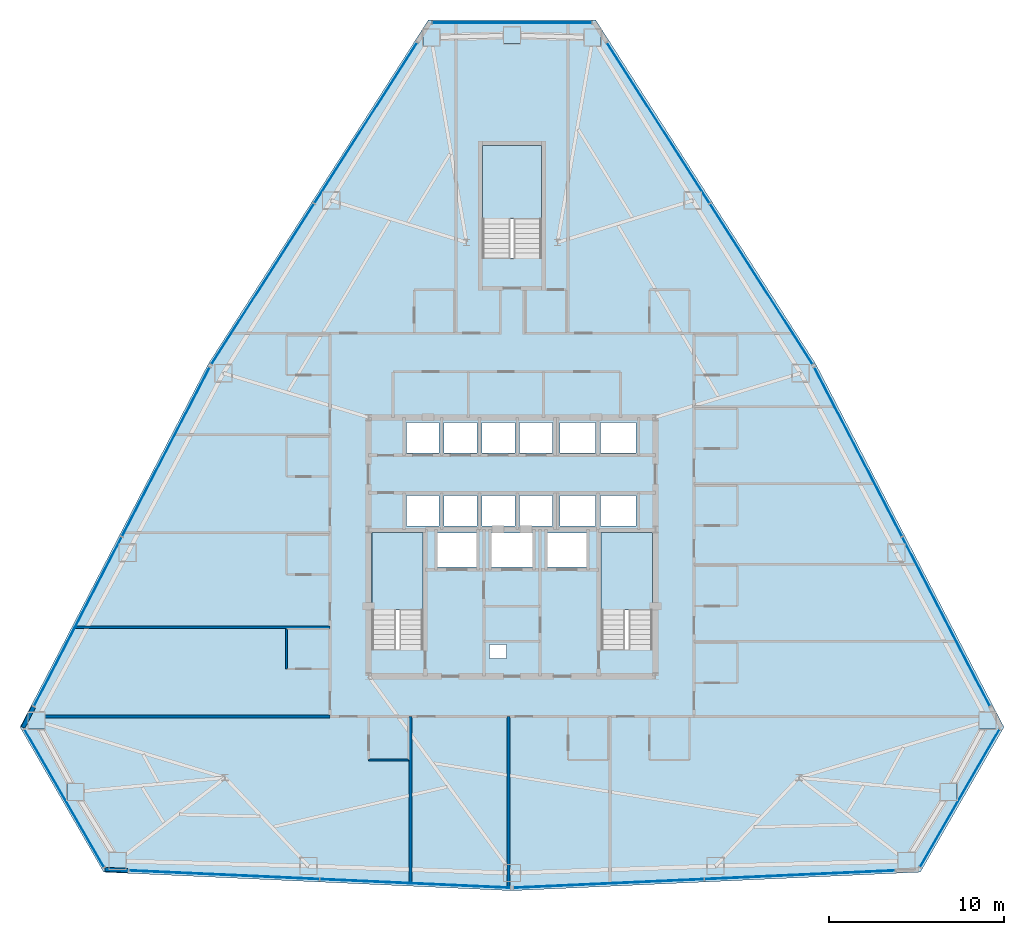
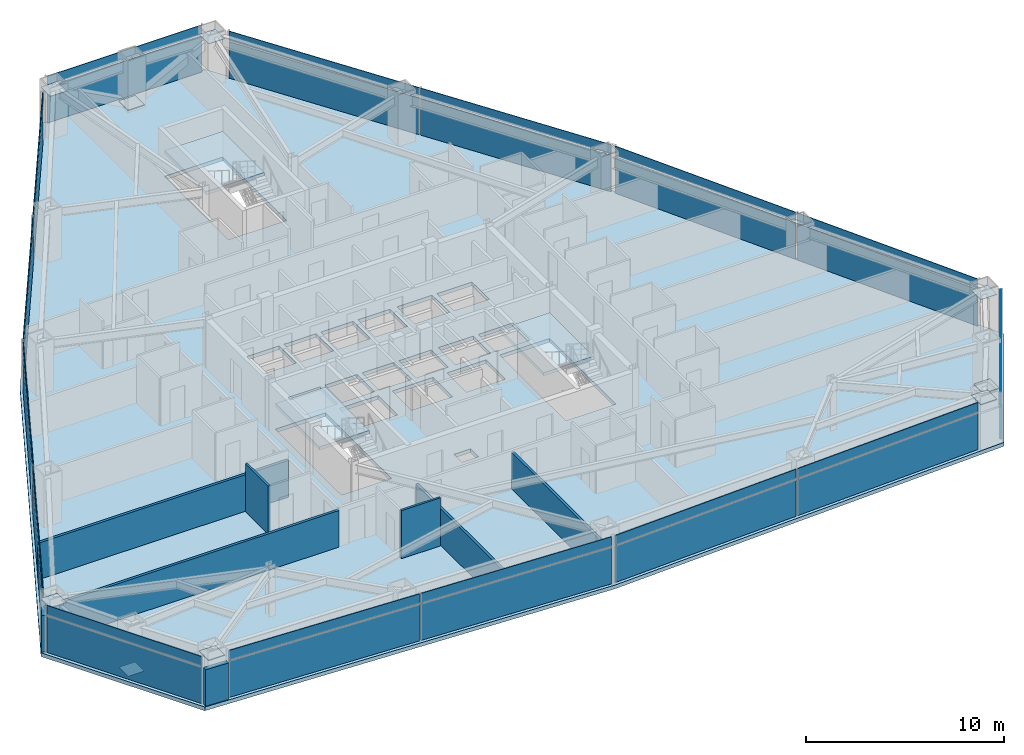
# One storey, part 8 of 13: 39 plates, 8 walls, 4 slabs, 12 elements without a shape of their own.
"""IFC4 building model written with IfcOpenShell, lengths in metres."""

from ifc_helpers import new_model, si_unit, direction, frame, frame_2d, origin, origin_2d, place, context, subcontext, project, spatial, polyline, rectangle, outline, extrude, source, transform, mapped, material, layer, layer_set, type_object, type_shapes, element, aggregate, save


model = new_model("IFC4")

# Units and contexts
model_context = context("Model", 3, precision=1e-05, world=origin(), true_north=direction((0.0, 1.0)))
body_context = subcontext(model_context, "Body", "Model", "MODEL_VIEW")
ifc_project = project(units=[si_unit("LENGTHUNIT", "METRE"), si_unit("AREAUNIT", "SQUARE_METRE"), si_unit("VOLUMEUNIT", "CUBIC_METRE"), si_unit("PLANEANGLEUNIT", "RADIAN"), si_unit("MASSUNIT", "GRAM", prefix="KILO")], contexts=[model_context])

# Site, building, storey
site_placement = place(None, origin())
site = spatial("IfcSite", under=ifc_project, at=site_placement, CompositionType="ELEMENT")
building_placement = place(site_placement, origin())
building = spatial("IfcBuilding", under=site, at=building_placement, Name="Varakhsha Concourse Tower", CompositionType="ELEMENT")
storey_placement = place(building_placement, frame((0.0, 0.0, 83.0)))
storey = spatial("IfcBuildingStorey", under=building, at=storey_placement, Name="L23", CompositionType="ELEMENT", Elevation=83.0)

# Slab
ifc_material_1 = material(Name="Concrete fc 45 MPa", Category="concrete")
ifc_layer_1 = layer(ifc_material_1, 0.22998046875, Name="SL-FLR-230")
ifc_layer_set_1 = layer_set([ifc_layer_1], Name="Concrete fc 45 MPa")
slab_type_1 = type_object("IfcSlabType", Name="SL-FLR-230", PredefinedType="FLOOR", material=ifc_layer_set_1)
slab_1_placement = place(storey_placement, frame((0.0, 0.0, -0.22998046875)))
element("IfcSlab", 1, at=slab_1_placement, inside=storey, type_object=slab_type_1, Name="L23 Composite Structural Slab", PredefinedType="FLOOR", context=body_context, shape_type="SweptSolid", body=[
    extrude(outline(polyline([(44.78564453125, 53.910888671875), (35.21435546875, 53.910888671875), (22.62744140625, 34.22998046875), (11.876708984375, 13.489013671875), (16.662353515625, 5.199951171875), (40.0, 4.139892578125), (63.337646484375, 5.199951171875), (68.123291015625, 13.489013671875), (57.37255859375, 34.22998046875), (44.78564453125, 53.910888671875)]), holes=[polyline([(34.919921875, 17.93994140625), (34.919921875, 24.6298828125), (32.0, 24.6298828125), (32.0, 17.93994140625), (34.919921875, 17.93994140625)]), polyline([(48.02001953125, 17.93994140625), (48.02001953125, 24.6298828125), (45.10009765625, 24.6298828125), (45.10009765625, 17.93994140625), (48.02001953125, 17.93994140625)]), polyline([(41.699951171875, 40.300048828125), (41.699951171875, 46.75), (38.300048828125, 46.75), (38.300048828125, 40.300048828125), (41.699951171875, 40.300048828125)]), polyline([(33.9599609375, 29.159912109375), (35.840087890625, 29.159912109375), (35.840087890625, 30.89990234375), (33.9599609375, 30.89990234375), (33.9599609375, 29.159912109375)]), polyline([(36.1201171875, 29.159912109375), (38.0, 29.159912109375), (38.0, 30.89990234375), (36.1201171875, 30.89990234375), (36.1201171875, 29.159912109375)]), polyline([(38.280029296875, 29.159912109375), (40.159912109375, 29.159912109375), (40.159912109375, 30.89990234375), (38.280029296875, 30.89990234375), (38.280029296875, 29.159912109375)]), polyline([(40.43994140625, 29.159912109375), (42.320068359375, 29.159912109375), (42.320068359375, 30.89990234375), (40.43994140625, 30.89990234375), (40.43994140625, 29.159912109375)]), polyline([(33.9599609375, 25.0), (35.840087890625, 25.0), (35.840087890625, 26.739990234375), (33.9599609375, 26.739990234375), (33.9599609375, 25.0)]), polyline([(36.1201171875, 25.0), (38.0, 25.0), (38.0, 26.739990234375), (36.1201171875, 26.739990234375), (36.1201171875, 25.0)]), polyline([(38.280029296875, 25.0), (40.159912109375, 25.0), (40.159912109375, 26.739990234375), (38.280029296875, 26.739990234375), (38.280029296875, 25.0)]), polyline([(40.43994140625, 25.0), (42.320068359375, 25.0), (42.320068359375, 26.739990234375), (40.43994140625, 26.739990234375), (40.43994140625, 25.0)]), polyline([(42.739990234375, 29.159912109375), (44.780029296875, 29.159912109375), (44.780029296875, 30.89990234375), (42.739990234375, 30.89990234375), (42.739990234375, 29.159912109375)]), polyline([(45.06005859375, 29.159912109375), (47.10009765625, 29.159912109375), (47.10009765625, 30.89990234375), (45.06005859375, 30.89990234375), (45.06005859375, 29.159912109375)]), polyline([(42.739990234375, 25.0), (44.780029296875, 25.0), (44.780029296875, 26.739990234375), (42.739990234375, 26.739990234375), (42.739990234375, 25.0)]), polyline([(45.06005859375, 25.0), (47.10009765625, 25.0), (47.10009765625, 26.739990234375), (45.06005859375, 26.739990234375), (45.06005859375, 25.0)]), polyline([(35.7099609375, 22.639892578125), (37.989990234375, 22.639892578125), (37.989990234375, 24.60009765625), (35.7099609375, 24.60009765625), (35.7099609375, 22.639892578125)]), polyline([(42.010009765625, 22.639892578125), (44.2900390625, 22.639892578125), (44.2900390625, 24.60009765625), (42.010009765625, 24.60009765625), (42.010009765625, 22.639892578125)]), polyline([(38.81005859375, 22.639892578125), (41.18994140625, 22.639892578125), (41.18994140625, 24.60009765625), (38.81005859375, 24.60009765625), (38.81005859375, 22.639892578125)]), polyline([(38.719970703125, 17.39990234375), (39.679931640625, 17.39990234375), (39.679931640625, 18.199951171875), (38.719970703125, 18.199951171875), (38.719970703125, 17.39990234375)])]), origin(), (0.0, 0.0, 1.0), 0.22998046875),
])

# Stair, slab
stair_type_1 = type_object("IfcStairType", Name="ST-DOGLEG-1360", PredefinedType="HALF_TURN_STAIR", material=ifc_material_1)
stair_1_placement = place(storey_placement, origin())
stair_1 = element("IfcStair", 2, at=stair_1_placement, inside=storey, type_object=stair_type_1, Name="L23 Protected Exit Stair ST1", PredefinedType="HALF_TURN_STAIR")
ifc_layer_2 = layer(ifc_material_1, 0.199951171875, Name="SL-LAND-200")
ifc_layer_set_2 = layer_set([ifc_layer_2], Name="Concrete fc 45 MPa")
slab_type_2 = type_object("IfcSlabType", Name="SL-LAND-200", PredefinedType="LANDING", material=ifc_layer_set_2)
slab_2_placement = place(storey_placement, frame((0.0, 0.0, 1.39990234375)))
slab_2 = element("IfcSlab", 3, at=slab_2_placement, type_object=slab_type_2, Name="ST1 landing 1", PredefinedType="LANDING", context=body_context, shape_type="SweptSolid", body=[
    extrude(outline(polyline([(34.919921875, 20.179931640625), (34.919921875, 24.6298828125), (32.0, 24.6298828125), (32.0, 20.179931640625), (34.919921875, 20.179931640625)])), origin(), (0.0, 0.0, 1.0), 0.2001953125),
])
aggregate(stair_1, [slab_2])

stair_2_placement = place(storey_placement, origin())
stair_2 = element("IfcStair", 4, at=stair_2_placement, inside=storey, type_object=stair_type_1, Name="L23 Protected Exit Stair ST2", PredefinedType="HALF_TURN_STAIR")
slab_3_placement = place(storey_placement, frame((0.0, 0.0, 1.39990234375)))
slab_3 = element("IfcSlab", 5, at=slab_3_placement, type_object=slab_type_2, Name="ST2 landing 1", PredefinedType="LANDING", context=body_context, shape_type="SweptSolid", body=[
    extrude(outline(polyline([(48.02001953125, 20.179931640625), (48.02001953125, 24.6298828125), (45.10009765625, 24.6298828125), (45.10009765625, 20.179931640625), (48.02001953125, 20.179931640625)])), origin(), (0.0, 0.0, 1.0), 0.2001953125),
])
aggregate(stair_2, [slab_3])

stair_type_2 = type_object("IfcStairType", Name="ST-DOGLEG-1600", PredefinedType="HALF_TURN_STAIR", material=ifc_material_1)
stair_3_placement = place(storey_placement, origin())
stair_3 = element("IfcStair", 6, at=stair_3_placement, inside=storey, type_object=stair_type_2, Name="L23 Protected Exit Stair ST5", PredefinedType="HALF_TURN_STAIR")
slab_4_placement = place(storey_placement, frame((0.0, 0.0, 1.39990234375)))
slab_4 = element("IfcSlab", 7, at=slab_4_placement, type_object=slab_type_2, Name="ST5 landing 1", PredefinedType="LANDING", context=body_context, shape_type="SweptSolid", body=[
    extrude(outline(polyline([(41.699951171875, 42.5400390625), (41.699951171875, 46.75), (38.300048828125, 46.75), (38.300048828125, 42.5400390625), (41.699951171875, 42.5400390625)])), origin(), (0.0, 0.0, 1.0), 0.2001953125),
])
aggregate(stair_3, [slab_4])

# Plates
ifc_material_2 = material(Name="Structural Steel ASTM A572 Grade 50", Category="steel")
ifc_layer_3 = layer(ifc_material_2, 0.030029296875, Name="PL-ENDCAP-950")
ifc_layer_set_3 = layer_set([ifc_layer_3], Name="Structural Steel ASTM A572 Grade 50")
plate_type_1 = type_object("IfcPlateType", Name="PL-ENDCAP-950", PredefinedType="USERDEFINED", material=ifc_layer_set_3)
shared_shape_1 = source(origin(), body_context, "Body", "SweptSolid", [
    extrude(rectangle(XDim=0.949951171875, YDim=0.949951171875, at=origin_2d()), origin(), (0.0, 0.0, 1.0), 0.030029296875),
])
type_shapes(plate_type_1, [shared_shape_1])
for number, where, z_axis, x_axis, name in (
    (8, (40.0, 53.031005859375, 0.10498046875), (0.0, 0.0, 1.0), (1.0, 0.0, 0.0), "Hollow Section End Cap GP-NODE-L23-0214"),
    (9, (44.624755859375, 52.911865234375, 2.65478515625), (0.0, 0.0, 1.0), (1.0, 0.0, 0.0), "Hollow Section End Cap GP-NODE-L23-0215"),
    (10, (35.375244140625, 52.911865234375, 2.65478515625), (0.0, 0.0, 1.0), (1.0, 0.0, 0.0), "Hollow Section End Cap GP-NODE-L23-0216"),
    (11, (15.03173828125, 9.784423828125, 0.10498046875), (0.0, 0.0, 1.0), (1.0, 0.0, 0.0), "Hollow Section End Cap GP-NODE-L23-0217"),
    (12, (12.822509765625, 13.849365234375, 2.65478515625), (0.0, 0.0, 1.0), (1.0, 0.0, 0.0), "Hollow Section End Cap GP-NODE-L23-0218"),
    (13, (17.447265625, 5.8388671875, 2.65478515625), (0.0, 0.0, 1.0), (1.0, 0.0, 0.0), "Hollow Section End Cap GP-NODE-L23-0219"),
    (14, (64.96826171875, 9.784423828125, 0.10498046875), (0.0, 0.0, 1.0), (1.0, 0.0, 0.0), "Hollow Section End Cap GP-NODE-L23-0220"),
    (15, (62.552734375, 5.8388671875, 2.65478515625), (0.0, 0.0, 1.0), (1.0, 0.0, 0.0), "Hollow Section End Cap GP-NODE-L23-0221"),
    (16, (67.177490234375, 13.849365234375, 2.65478515625), (0.0, 0.0, 1.0), (1.0, 0.0, 0.0), "Hollow Section End Cap GP-NODE-L23-0222"),
):
    element("IfcPlate", number, at=place(storey_placement, frame(where, z_axis=z_axis, x_axis=x_axis)), inside=storey, type_object=plate_type_1, Name=name, ObjectType="END PLATE", PredefinedType="USERDEFINED", context=body_context, shape_type="MappedRepresentation", body=[
        mapped(shared_shape_1, transform((0.0, 0.0, 0.0), scale=1.0)),
    ])

# Curtain wall, plate
ifc_material_3 = material(Name="Anodised Bronze Architectural Aluminium AA 6063-T6", Category="aluminium")
ifc_layer_4 = layer(ifc_material_3, 0.199951171875, Name="CW-SYS-03")
ifc_layer_set_4 = layer_set([ifc_layer_4], Name="Anodised Bronze Architectural Aluminium AA 6063-T6")
curtain_wall_type = type_object("IfcCurtainWallType", Name="CW-SYS-03", PredefinedType="NOTDEFINED", material=ifc_layer_set_4)
curtain_wall_1_placement = place(storey_placement, origin())
curtain_wall_1 = element("IfcCurtainWall", 17, at=curtain_wall_1_placement, inside=storey, type_object=curtain_wall_type, Name="L23 Chamfer Curtain Wall F1", PredefinedType="NOTDEFINED")
ifc_material_4 = material(Name="Insulated Anodised Bronze Aluminium Spandrel 36 mm", Category="aluminium")
ifc_layer_5 = layer(ifc_material_4, 0.035888671875, Name="CWP-SPN-36")
ifc_layer_set_5 = layer_set([ifc_layer_5], Name="Insulated Anodised Bronze Aluminium Spandrel 36 mm")
plate_type_2 = type_object("IfcPlateType", Name="CWP-SPN-36", PredefinedType="USERDEFINED", material=ifc_layer_set_5)
shared_shape_2 = source(origin(), body_context, "Body", "SweptSolid", [
    extrude(rectangle(XDim=9.052490234375, YDim=0.035888671875, at=origin_2d()), origin(), (0.0, 0.0, 1.0), 2.2509765625),
])
type_shapes(plate_type_2, [shared_shape_2])
plate_1_placement = place(storey_placement, frame((40.0, 53.7509765625, 0.034423828125), z_axis=(0.0, 0.0, 1.0), x_axis=(1.0, 0.0, 0.0)))
plate_1 = element("IfcPlate", 18, at=plate_1_placement, type_object=plate_type_2, Name="CW-L23-F1 Panel 00-00", ObjectType="SPANDREL", PredefinedType="USERDEFINED", context=body_context, shape_type="MappedRepresentation", body=[
    mapped(shared_shape_2, transform((0.0, 0.0, 0.0), scale=1.0)),
])

curtain_wall_2_placement = place(storey_placement, origin())
curtain_wall_2 = element("IfcCurtainWall", 19, at=curtain_wall_2_placement, inside=storey, type_object=curtain_wall_type, Name="L23 Chamfer Curtain Wall F4", PredefinedType="NOTDEFINED")
plate_2_placement = place(storey_placement, frame((14.408203125, 9.424560546875, 0.034423828125), z_axis=(0.0, 0.0, 1.0), x_axis=(-0.499996976998, 0.866027149108, 0.0)))
plate_2 = element("IfcPlate", 20, at=plate_2_placement, type_object=plate_type_2, Name="CW-L23-F4 Panel 00-00", ObjectType="SPANDREL", PredefinedType="USERDEFINED", context=body_context, shape_type="MappedRepresentation", body=[
    mapped(shared_shape_2, transform((0.0, 0.0, 0.0), scale=1.0)),
])

curtain_wall_3_placement = place(storey_placement, origin())
curtain_wall_3 = element("IfcCurtainWall", 21, at=curtain_wall_3_placement, inside=storey, type_object=curtain_wall_type, Name="L23 Chamfer Curtain Wall F7", PredefinedType="NOTDEFINED")
plate_3_placement = place(storey_placement, frame((65.591796875, 9.424560546875, 0.034423828125), z_axis=(0.0, 0.0, 1.0), x_axis=(-0.499996976998, -0.866027149108, 0.0)))
plate_3 = element("IfcPlate", 22, at=plate_3_placement, type_object=plate_type_2, Name="CW-L23-F7 Panel 00-00", ObjectType="SPANDREL", PredefinedType="USERDEFINED", context=body_context, shape_type="MappedRepresentation", body=[
    mapped(shared_shape_2, transform((0.0, 0.0, 0.0), scale=1.0)),
])

# Plate
ifc_material_5 = material(Name="Glazed Turquoise-Bronze Ceramic Spandrel Panel 38 mm", Category="ceramic")
ifc_layer_6 = layer(ifc_material_5, 0.0380859375, Name="CWP-SPN-38")
ifc_layer_set_6 = layer_set([ifc_layer_6], Name="Glazed Turquoise-Bronze Ceramic Spandrel Panel 38 mm")
plate_type_3 = type_object("IfcPlateType", Name="CWP-SPN-38", PredefinedType="USERDEFINED", material=ifc_layer_set_6)
shared_shape_3 = source(origin(), body_context, "Body", "SweptSolid", [
    extrude(rectangle(XDim=9.052490234375, YDim=0.0380859375, at=origin_2d()), origin(), (0.0, 0.0, 1.0), 0.5810546875),
])
plate_4_placement = place(storey_placement, frame((40.0, 53.7509765625, 2.3544921875), z_axis=(0.0, 0.0, 1.0), x_axis=(1.0, 0.0, 0.0)))
plate_4 = element("IfcPlate", 23, at=plate_4_placement, type_object=plate_type_3, Name="CW-L23-F1 Panel 00-01", ObjectType="SPANDREL", PredefinedType="USERDEFINED", context=body_context, shape_type="MappedRepresentation", body=[
    mapped(shared_shape_3, transform((0.0, 0.0, 0.0), scale=1.0)),
])

aggregate(curtain_wall_1, [plate_1, plate_4])

plate_5_placement = place(storey_placement, frame((14.408203125, 9.424560546875, 2.3544921875), z_axis=(0.0, 0.0, 1.0), x_axis=(-0.499996976998, 0.866027149108, 0.0)))
plate_5 = element("IfcPlate", 24, at=plate_5_placement, type_object=plate_type_3, Name="CW-L23-F4 Panel 00-01", ObjectType="SPANDREL", PredefinedType="USERDEFINED", context=body_context, shape_type="MappedRepresentation", body=[
    mapped(shared_shape_3, transform((0.0, 0.0, 0.0), scale=1.0)),
])

aggregate(curtain_wall_2, [plate_2, plate_5])

plate_6_placement = place(storey_placement, frame((65.591796875, 9.424560546875, 2.3544921875), z_axis=(0.0, 0.0, 1.0), x_axis=(-0.499996976998, -0.866027149108, 0.0)))
plate_6 = element("IfcPlate", 25, at=plate_6_placement, type_object=plate_type_3, Name="CW-L23-F7 Panel 00-01", ObjectType="SPANDREL", PredefinedType="USERDEFINED", context=body_context, shape_type="MappedRepresentation", body=[
    mapped(shared_shape_3, transform((0.0, 0.0, 0.0), scale=1.0)),
])

aggregate(curtain_wall_3, [plate_3, plate_6])

# Curtain wall, plates
curtain_wall_4_placement = place(storey_placement, origin())
curtain_wall_4 = element("IfcCurtainWall", 26, at=curtain_wall_4_placement, inside=storey, type_object=curtain_wall_type, Name="L23 Crystal Curtain Wall F2", PredefinedType="NOTDEFINED")
ifc_material_6 = material(Name="Low-E Triple Insulating Glass IGU 44 mm", Category="glass")
ifc_layer_7 = layer(ifc_material_6, 0.0439453125, Name="CWP-IGU-44")
ifc_layer_set_7 = layer_set([ifc_layer_7], Name="Low-E Triple Insulating Glass IGU 44 mm")
plate_type_4 = type_object("IfcPlateType", Name="CWP-IGU-44", PredefinedType="CURTAIN_PANEL", material=ifc_layer_set_7)
shared_shape_4 = source(origin(), body_context, "Body", "SweptSolid", [
    extrude(rectangle(XDim=10.851806640625, YDim=0.0439453125, at=origin_2d()), origin(), (0.0, 0.0, 1.0), 2.2509765625),
])
type_shapes(plate_type_4, [shared_shape_4])
plate_7_placement = place(storey_placement, frame((25.75, 38.815673828125, 0.034423828125), z_axis=(0.0, 0.0, 1.0), x_axis=(0.538786958833, 0.842442053195, 0.0)))
plate_7 = element("IfcPlate", 27, at=plate_7_placement, type_object=plate_type_4, Name="CW-L23-F2 Panel 00-00", PredefinedType="CURTAIN_PANEL", context=body_context, shape_type="MappedRepresentation", body=[
    mapped(shared_shape_4, transform((0.0, 0.0, 0.0), scale=1.0)),
])
plate_8_placement = place(storey_placement, frame((31.639404296875, 48.024169921875, 0.034423828125), z_axis=(0.0, 0.0, 1.0), x_axis=(0.538786958833, 0.842442053195, 0.0)))
plate_8 = element("IfcPlate", 28, at=plate_8_placement, type_object=plate_type_4, Name="CW-L23-F2 Panel 01-00", PredefinedType="CURTAIN_PANEL", context=body_context, shape_type="MappedRepresentation", body=[
    mapped(shared_shape_4, transform((0.0, 0.0, 0.0), scale=1.0)),
])

curtain_wall_5_placement = place(storey_placement, origin())
curtain_wall_5 = element("IfcCurtainWall", 29, at=curtain_wall_5_placement, inside=storey, type_object=curtain_wall_type, Name="L23 Crystal Curtain Wall F3", PredefinedType="NOTDEFINED")
plate_9_placement = place(storey_placement, frame((15.187255859375, 19.528564453125, 0.034423828125), z_axis=(0.0, 0.0, 1.0), x_axis=(0.460185838956, 0.887822613828, 0.0)))
plate_9 = element("IfcPlate", 30, at=plate_9_placement, type_object=plate_type_4, Name="CW-L23-F3 Panel 00-00", PredefinedType="CURTAIN_PANEL", context=body_context, shape_type="MappedRepresentation", body=[
    mapped(shared_shape_4, transform((0.0, 0.0, 0.0), scale=1.0)),
])
plate_10_placement = place(storey_placement, frame((20.217529296875, 29.233154296875, 0.034423828125), z_axis=(0.0, 0.0, 1.0), x_axis=(0.460185838956, 0.887822613828, 0.0)))
plate_10 = element("IfcPlate", 31, at=plate_10_placement, type_object=plate_type_4, Name="CW-L23-F3 Panel 01-00", PredefinedType="CURTAIN_PANEL", context=body_context, shape_type="MappedRepresentation", body=[
    mapped(shared_shape_4, transform((0.0, 0.0, 0.0), scale=1.0)),
])

curtain_wall_6_placement = place(storey_placement, origin())
curtain_wall_6 = element("IfcCurtainWall", 32, at=curtain_wall_6_placement, inside=storey, type_object=curtain_wall_type, Name="L23 Crystal Curtain Wall F5", PredefinedType="NOTDEFINED")
plate_11_placement = place(storey_placement, frame((34.467529296875, 4.55126953125, 0.034423828125), z_axis=(0.0, 0.0, 1.0), x_axis=(-0.998969777905, 0.045380423448, 0.0)))
plate_11 = element("IfcPlate", 33, at=plate_11_placement, type_object=plate_type_4, Name="CW-L23-F5 Panel 00-00", PredefinedType="CURTAIN_PANEL", context=body_context, shape_type="MappedRepresentation", body=[
    mapped(shared_shape_4, transform((0.0, 0.0, 0.0), scale=1.0)),
])
plate_12_placement = place(storey_placement, frame((23.548095703125, 5.04736328125, 0.034423828125), z_axis=(0.0, 0.0, 1.0), x_axis=(-0.998969777905, 0.045380423448, 0.0)))
plate_12 = element("IfcPlate", 34, at=plate_12_placement, type_object=plate_type_4, Name="CW-L23-F5 Panel 01-00", PredefinedType="CURTAIN_PANEL", context=body_context, shape_type="MappedRepresentation", body=[
    mapped(shared_shape_4, transform((0.0, 0.0, 0.0), scale=1.0)),
])

curtain_wall_7_placement = place(storey_placement, origin())
curtain_wall_7 = element("IfcCurtainWall", 35, at=curtain_wall_7_placement, inside=storey, type_object=curtain_wall_type, Name="L23 Crystal Curtain Wall F6", PredefinedType="NOTDEFINED")
plate_13_placement = place(storey_placement, frame((56.451904296875, 5.04736328125, 0.034423828125), z_axis=(0.0, 0.0, 1.0), x_axis=(-0.998969777905, -0.045380423448, 0.0)))
plate_13 = element("IfcPlate", 36, at=plate_13_placement, type_object=plate_type_4, Name="CW-L23-F6 Panel 00-00", PredefinedType="CURTAIN_PANEL", context=body_context, shape_type="MappedRepresentation", body=[
    mapped(shared_shape_4, transform((0.0, 0.0, 0.0), scale=1.0)),
])
plate_14_placement = place(storey_placement, frame((45.532470703125, 4.55126953125, 0.034423828125), z_axis=(0.0, 0.0, 1.0), x_axis=(-0.998969777905, -0.045380423448, 0.0)))
plate_14 = element("IfcPlate", 37, at=plate_14_placement, type_object=plate_type_4, Name="CW-L23-F6 Panel 01-00", PredefinedType="CURTAIN_PANEL", context=body_context, shape_type="MappedRepresentation", body=[
    mapped(shared_shape_4, transform((0.0, 0.0, 0.0), scale=1.0)),
])

curtain_wall_8_placement = place(storey_placement, origin())
curtain_wall_8 = element("IfcCurtainWall", 38, at=curtain_wall_8_placement, inside=storey, type_object=curtain_wall_type, Name="L23 Crystal Curtain Wall F8", PredefinedType="NOTDEFINED")
plate_15_placement = place(storey_placement, frame((59.782470703125, 29.233154296875, 0.034423828125), z_axis=(0.0, 0.0, 1.0), x_axis=(0.460185838956, -0.887822613828, 0.0)))
plate_15 = element("IfcPlate", 39, at=plate_15_placement, type_object=plate_type_4, Name="CW-L23-F8 Panel 00-00", PredefinedType="CURTAIN_PANEL", context=body_context, shape_type="MappedRepresentation", body=[
    mapped(shared_shape_4, transform((0.0, 0.0, 0.0), scale=1.0)),
])
plate_16_placement = place(storey_placement, frame((64.812744140625, 19.528564453125, 0.034423828125), z_axis=(0.0, 0.0, 1.0), x_axis=(0.460185838956, -0.887822613828, 0.0)))
plate_16 = element("IfcPlate", 40, at=plate_16_placement, type_object=plate_type_4, Name="CW-L23-F8 Panel 01-00", PredefinedType="CURTAIN_PANEL", context=body_context, shape_type="MappedRepresentation", body=[
    mapped(shared_shape_4, transform((0.0, 0.0, 0.0), scale=1.0)),
])

curtain_wall_9_placement = place(storey_placement, origin())
curtain_wall_9 = element("IfcCurtainWall", 41, at=curtain_wall_9_placement, inside=storey, type_object=curtain_wall_type, Name="L23 Crystal Curtain Wall F9", PredefinedType="NOTDEFINED")
plate_17_placement = place(storey_placement, frame((48.360595703125, 48.024169921875, 0.034423828125), z_axis=(0.0, 0.0, 1.0), x_axis=(0.538786958833, -0.842442053195, 0.0)))
plate_17 = element("IfcPlate", 42, at=plate_17_placement, type_object=plate_type_4, Name="CW-L23-F9 Panel 00-00", PredefinedType="CURTAIN_PANEL", context=body_context, shape_type="MappedRepresentation", body=[
    mapped(shared_shape_4, transform((0.0, 0.0, 0.0), scale=1.0)),
])
plate_18_placement = place(storey_placement, frame((54.25, 38.815673828125, 0.034423828125), z_axis=(0.0, 0.0, 1.0), x_axis=(0.538786958833, -0.842442053195, 0.0)))
plate_18 = element("IfcPlate", 43, at=plate_18_placement, type_object=plate_type_4, Name="CW-L23-F9 Panel 01-00", PredefinedType="CURTAIN_PANEL", context=body_context, shape_type="MappedRepresentation", body=[
    mapped(shared_shape_4, transform((0.0, 0.0, 0.0), scale=1.0)),
])

# Plate
shared_shape_5 = source(origin(), body_context, "Body", "SweptSolid", [
    extrude(rectangle(XDim=10.851806640625, YDim=0.0380859375, at=origin_2d()), origin(), (0.0, 0.0, 1.0), 0.5810546875),
])
type_shapes(plate_type_3, [shared_shape_3, shared_shape_5])
plate_19_placement = place(storey_placement, frame((25.75, 38.815673828125, 2.3544921875), z_axis=(0.0, 0.0, 1.0), x_axis=(0.538786958833, 0.842442053195, 0.0)))
plate_19 = element("IfcPlate", 44, at=plate_19_placement, type_object=plate_type_3, Name="CW-L23-F2 Panel 00-01", ObjectType="SPANDREL", PredefinedType="USERDEFINED", context=body_context, shape_type="MappedRepresentation", body=[
    mapped(shared_shape_5, transform((0.0, 0.0, 0.0), scale=1.0)),
])

plate_20_placement = place(storey_placement, frame((31.639404296875, 48.024169921875, 2.3544921875), z_axis=(0.0, 0.0, 1.0), x_axis=(0.538786958833, 0.842442053195, 0.0)))
plate_20 = element("IfcPlate", 45, at=plate_20_placement, type_object=plate_type_3, Name="CW-L23-F2 Panel 01-01", ObjectType="SPANDREL", PredefinedType="USERDEFINED", context=body_context, shape_type="MappedRepresentation", body=[
    mapped(shared_shape_5, transform((0.0, 0.0, 0.0), scale=1.0)),
])

aggregate(curtain_wall_4, [plate_7, plate_19, plate_8, plate_20])

plate_21_placement = place(storey_placement, frame((15.187255859375, 19.528564453125, 2.3544921875), z_axis=(0.0, 0.0, 1.0), x_axis=(0.460185838956, 0.887822613828, 0.0)))
plate_21 = element("IfcPlate", 46, at=plate_21_placement, type_object=plate_type_3, Name="CW-L23-F3 Panel 00-01", ObjectType="SPANDREL", PredefinedType="USERDEFINED", context=body_context, shape_type="MappedRepresentation", body=[
    mapped(shared_shape_5, transform((0.0, 0.0, 0.0), scale=1.0)),
])

plate_22_placement = place(storey_placement, frame((20.217529296875, 29.233154296875, 2.3544921875), z_axis=(0.0, 0.0, 1.0), x_axis=(0.460185838956, 0.887822613828, 0.0)))
plate_22 = element("IfcPlate", 47, at=plate_22_placement, type_object=plate_type_3, Name="CW-L23-F3 Panel 01-01", ObjectType="SPANDREL", PredefinedType="USERDEFINED", context=body_context, shape_type="MappedRepresentation", body=[
    mapped(shared_shape_5, transform((0.0, 0.0, 0.0), scale=1.0)),
])

aggregate(curtain_wall_5, [plate_9, plate_21, plate_10, plate_22])

plate_23_placement = place(storey_placement, frame((34.467529296875, 4.55126953125, 2.3544921875), z_axis=(0.0, 0.0, 1.0), x_axis=(-0.998969777905, 0.045380423448, 0.0)))
plate_23 = element("IfcPlate", 48, at=plate_23_placement, type_object=plate_type_3, Name="CW-L23-F5 Panel 00-01", ObjectType="SPANDREL", PredefinedType="USERDEFINED", context=body_context, shape_type="MappedRepresentation", body=[
    mapped(shared_shape_5, transform((0.0, 0.0, 0.0), scale=1.0)),
])

plate_24_placement = place(storey_placement, frame((23.548095703125, 5.04736328125, 2.3544921875), z_axis=(0.0, 0.0, 1.0), x_axis=(-0.998969777905, 0.045380423448, 0.0)))
plate_24 = element("IfcPlate", 49, at=plate_24_placement, type_object=plate_type_3, Name="CW-L23-F5 Panel 01-01", ObjectType="SPANDREL", PredefinedType="USERDEFINED", context=body_context, shape_type="MappedRepresentation", body=[
    mapped(shared_shape_5, transform((0.0, 0.0, 0.0), scale=1.0)),
])

aggregate(curtain_wall_6, [plate_11, plate_23, plate_12, plate_24])

plate_25_placement = place(storey_placement, frame((56.451904296875, 5.04736328125, 2.3544921875), z_axis=(0.0, 0.0, 1.0), x_axis=(-0.998969777905, -0.045380423448, 0.0)))
plate_25 = element("IfcPlate", 50, at=plate_25_placement, type_object=plate_type_3, Name="CW-L23-F6 Panel 00-01", ObjectType="SPANDREL", PredefinedType="USERDEFINED", context=body_context, shape_type="MappedRepresentation", body=[
    mapped(shared_shape_5, transform((0.0, 0.0, 0.0), scale=1.0)),
])

plate_26_placement = place(storey_placement, frame((45.532470703125, 4.55126953125, 2.3544921875), z_axis=(0.0, 0.0, 1.0), x_axis=(-0.998969777905, -0.045380423448, 0.0)))
plate_26 = element("IfcPlate", 51, at=plate_26_placement, type_object=plate_type_3, Name="CW-L23-F6 Panel 01-01", ObjectType="SPANDREL", PredefinedType="USERDEFINED", context=body_context, shape_type="MappedRepresentation", body=[
    mapped(shared_shape_5, transform((0.0, 0.0, 0.0), scale=1.0)),
])

aggregate(curtain_wall_7, [plate_13, plate_25, plate_14, plate_26])

plate_27_placement = place(storey_placement, frame((59.782470703125, 29.233154296875, 2.3544921875), z_axis=(0.0, 0.0, 1.0), x_axis=(0.460185838956, -0.887822613828, 0.0)))
plate_27 = element("IfcPlate", 52, at=plate_27_placement, type_object=plate_type_3, Name="CW-L23-F8 Panel 00-01", ObjectType="SPANDREL", PredefinedType="USERDEFINED", context=body_context, shape_type="MappedRepresentation", body=[
    mapped(shared_shape_5, transform((0.0, 0.0, 0.0), scale=1.0)),
])

plate_28_placement = place(storey_placement, frame((64.812744140625, 19.528564453125, 2.3544921875), z_axis=(0.0, 0.0, 1.0), x_axis=(0.460185838956, -0.887822613828, 0.0)))
plate_28 = element("IfcPlate", 53, at=plate_28_placement, type_object=plate_type_3, Name="CW-L23-F8 Panel 01-01", ObjectType="SPANDREL", PredefinedType="USERDEFINED", context=body_context, shape_type="MappedRepresentation", body=[
    mapped(shared_shape_5, transform((0.0, 0.0, 0.0), scale=1.0)),
])

aggregate(curtain_wall_8, [plate_15, plate_27, plate_16, plate_28])

plate_29_placement = place(storey_placement, frame((48.360595703125, 48.024169921875, 2.3544921875), z_axis=(0.0, 0.0, 1.0), x_axis=(0.538786958833, -0.842442053195, 0.0)))
plate_29 = element("IfcPlate", 54, at=plate_29_placement, type_object=plate_type_3, Name="CW-L23-F9 Panel 00-01", ObjectType="SPANDREL", PredefinedType="USERDEFINED", context=body_context, shape_type="MappedRepresentation", body=[
    mapped(shared_shape_5, transform((0.0, 0.0, 0.0), scale=1.0)),
])

plate_30_placement = place(storey_placement, frame((54.25, 38.815673828125, 2.3544921875), z_axis=(0.0, 0.0, 1.0), x_axis=(0.538786958833, -0.842442053195, 0.0)))
plate_30 = element("IfcPlate", 55, at=plate_30_placement, type_object=plate_type_3, Name="CW-L23-F9 Panel 01-01", ObjectType="SPANDREL", PredefinedType="USERDEFINED", context=body_context, shape_type="MappedRepresentation", body=[
    mapped(shared_shape_5, transform((0.0, 0.0, 0.0), scale=1.0)),
])

aggregate(curtain_wall_9, [plate_17, plate_29, plate_18, plate_30])

# Walls
ifc_layer_8 = layer(ifc_material_1, 0.239990234375, Name="WL-EXT-CRN-240")
ifc_layer_set_8 = layer_set([ifc_layer_8], Name="Concrete fc 45 MPa")
wall_type_1 = type_object("IfcWallType", Name="WL-EXT-CRN-240", PredefinedType="SHEAR", material=ifc_layer_set_8)
wall_1_placement = place(storey_placement, frame((12.65478515625, 14.642822265625, 0.0), z_axis=(0.0, 0.0, 1.0), x_axis=(-0.460138651144, -0.887847071135, 0.0)))
element("IfcWall", 56, at=wall_1_placement, inside=storey, type_object=wall_type_1, Name="L23 Wind-Corner Shoulder Wall F3", PredefinedType="SHEAR", context=body_context, shape_type="SweptSolid", body=[
    extrude(rectangle(XDim=1.3173828125, YDim=0.239990234375, at=frame_2d((0.65869140625, 0.0))), origin(), (0.0, 0.0, 1.0), 2.2529296875),
])
wall_2_placement = place(storey_placement, frame((16.735595703125, 5.35693359375, 0.0), z_axis=(0.0, 0.0, 1.0), x_axis=(0.998967392838, -0.045432896092, 0.0)))
element("IfcWall", 57, at=wall_2_placement, inside=storey, type_object=wall_type_1, Name="L23 Wind-Corner Shoulder Wall F5", PredefinedType="SHEAR", context=body_context, shape_type="SweptSolid", body=[
    extrude(rectangle(XDim=1.316650390625, YDim=0.239990234375, at=frame_2d((0.658203125, 0.0))), origin(), (0.0, 0.0, 1.0), 2.2529296875),
])
ifc_material_7 = material(Name="Acoustic Gypsum Board Partition Assembly", Category="gypsum")
ifc_layer_9 = layer(ifc_material_7, 0.1201171875, Name="WL-PART-120")
ifc_layer_set_9 = layer_set([ifc_layer_9], Name="Acoustic Gypsum Board Partition Assembly")
wall_type_2 = type_object("IfcWallType", Name="WL-PART-120", PredefinedType="PARTITIONING", material=ifc_layer_set_9)
for number, where, z_axis, x_axis, name in (
    (58, (31.81005859375, 11.610107421875, 0.0), (0.0, 0.0, 1.0), (1.0, 0.0, 0.0), "L23 Wall ENSW-S-L23-H01"),
    (59, (27.110107421875, 16.81005859375, 0.0), (0.0, 0.0, 1.0), (0.0, 1.0, 0.0), "L23 Wall ENSW-W-L23-H05"),
):
    element("IfcWall", number, at=place(storey_placement, frame(where, z_axis=z_axis, x_axis=x_axis)), inside=storey, type_object=wall_type_2, Name=name, PredefinedType="PARTITIONING", context=body_context, shape_type="SweptSolid", body=[
        extrude(rectangle(XDim=2.280029296875, YDim=0.1201171875, at=frame_2d((1.14013671875, 0.0))), origin(), (0.0, 0.0, 1.0), 2.969970703125),
    ])
ifc_material_8 = material(Name="Fire-Rated Type X Gypsum Partition Assembly", Category="gypsum")
ifc_layer_10 = layer(ifc_material_8, 0.14990234375, Name="WL-PART-150")
ifc_layer_set_10 = layer_set([ifc_layer_10], Name="Fire-Rated Type X Gypsum Partition Assembly")
wall_type_3 = type_object("IfcWallType", Name="WL-PART-150", PredefinedType="PARTITIONING", material=ifc_layer_set_10)
wall_3_placement = place(storey_placement, frame((34.199951171875, 4.568603515625, 0.0), z_axis=(0.0, 0.0, 1.0), x_axis=(0.0, 1.0, 0.0)))
element("IfcWall", 60, at=wall_3_placement, inside=storey, type_object=wall_type_3, Name="L23 Wall HDIV-S1-L23", PredefinedType="PARTITIONING", context=body_context, shape_type="SweptSolid", body=[
    extrude(rectangle(XDim=9.531494140625, YDim=0.14990234375, at=frame_2d((4.765625, 0.0))), origin(), (0.0, 0.0, 1.0), 2.258056640625),
])
wall_4_placement = place(storey_placement, frame((39.800048828125, 4.314208984375, 0.0), z_axis=(0.0, 0.0, 1.0), x_axis=(0.0, 1.0, 0.0)))
element("IfcWall", 61, at=wall_4_placement, inside=storey, type_object=wall_type_3, Name="L23 Wall HDIV-S2-L23", PredefinedType="PARTITIONING", context=body_context, shape_type="SweptSolid", body=[
    extrude(rectangle(XDim=9.785888671875, YDim=0.14990234375, at=frame_2d((4.89306640625, 0.0))), origin(), (0.0, 0.0, 1.0), 2.258056640625),
])
wall_5_placement = place(storey_placement, frame((12.379150390625, 14.10009765625, 0.0), z_axis=(0.0, 0.0, 1.0), x_axis=(1.0, 0.0, 0.0)))
element("IfcWall", 62, at=wall_5_placement, inside=storey, type_object=wall_type_3, Name="L23 Wall HDIV-WB0-L23", PredefinedType="PARTITIONING", context=body_context, shape_type="SweptSolid", body=[
    extrude(rectangle(XDim=17.220947265625, YDim=0.14990234375, at=frame_2d((8.6103515625, 0.0))), origin(), (0.0, 0.0, 1.0), 2.258056640625),
])
wall_6_placement = place(storey_placement, frame((15.022705078125, 19.199951171875, 0.0), z_axis=(0.0, 0.0, 1.0), x_axis=(1.0, 0.0, 0.0)))
element("IfcWall", 63, at=wall_6_placement, inside=storey, type_object=wall_type_3, Name="L23 Wall HDIV-W1-L23", PredefinedType="PARTITIONING", context=body_context, shape_type="SweptSolid", body=[
    extrude(rectangle(XDim=14.577392578125, YDim=0.14990234375, at=frame_2d((7.28857421875, 0.0))), origin(), (0.0, 0.0, 1.0), 2.258056640625),
])

save(model, "model.ifc")
